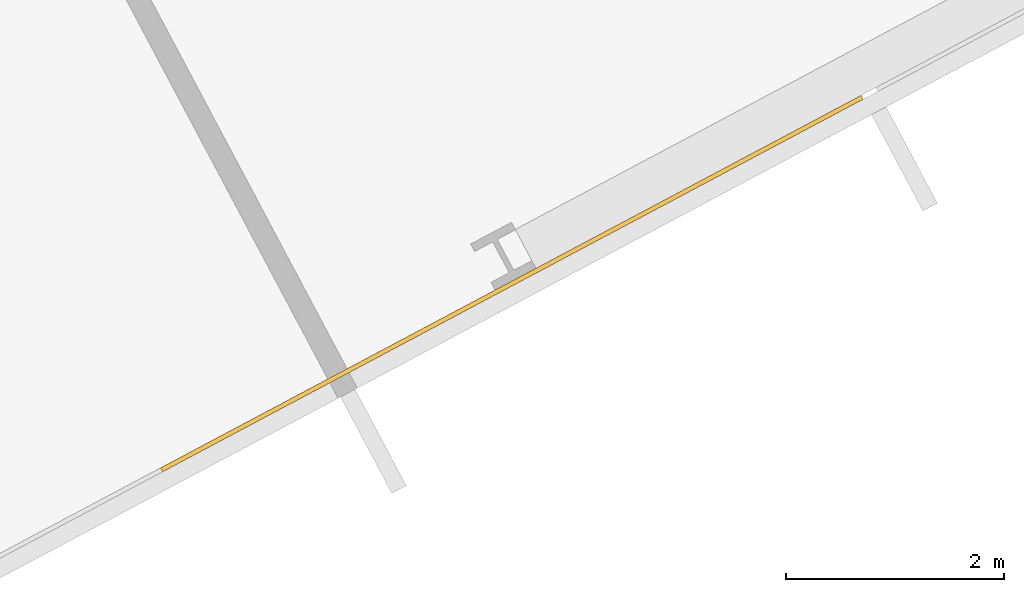
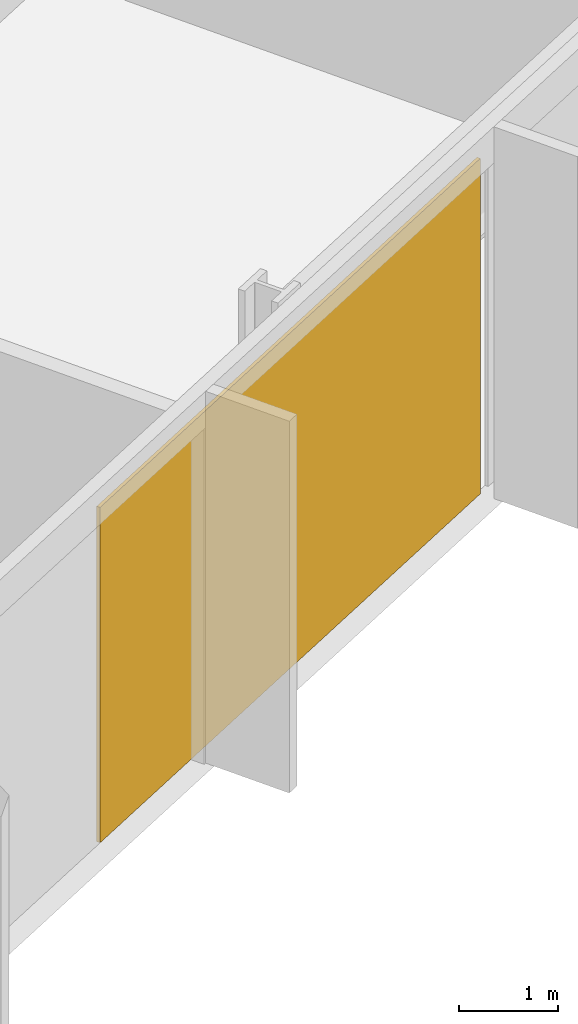
# One storey, part 29 of 32: 1 covering, 1 element without a shape of its own.
"""IFC4 building model written with IfcOpenShell, lengths in metres."""

from ifc_helpers import new_model, si_unit, direction, frame, origin, origin_2d, place, context, subcontext, project, spatial, rectangle, extrude, material, layer, layer_set, type_object, element, aggregate, save


model = new_model("IFC4")

# Units and contexts
model_context = context("Model", 3, precision=1e-05, world=origin(), true_north=direction((0.0, 1.0)))
body_context = subcontext(model_context, "Body", "Model", "MODEL_VIEW")
ifc_project = project(units=[si_unit("LENGTHUNIT", "METRE"), si_unit("AREAUNIT", "SQUARE_METRE"), si_unit("VOLUMEUNIT", "CUBIC_METRE"), si_unit("PLANEANGLEUNIT", "RADIAN"), si_unit("MASSUNIT", "GRAM", prefix="KILO")], contexts=[model_context])

# Site, building, storey
site_placement = place(None, origin())
site = spatial("IfcSite", under=ifc_project, at=site_placement, CompositionType="ELEMENT")
building_placement = place(site_placement, origin())
building = spatial("IfcBuilding", under=site, at=building_placement, Name="Cormorant Relay Tower", CompositionType="ELEMENT")
storey_placement = place(building_placement, frame((0.0, 0.0, 75.39990234375)))
storey = spatial("IfcBuildingStorey", under=building, at=storey_placement, Name="L14", CompositionType="ELEMENT", Elevation=75.39990234375)

# Curtain wall, covering
ifc_material_1 = material(Name="Aluminium 6063-T6 anodised bronze", Category="aluminium")
ifc_layer_1 = layer(ifc_material_1, 0.199951171875)
ifc_layer_set_1 = layer_set([ifc_layer_1], Name="CW1 unitised bronze curtain wall with vertical fins")
curtain_wall_type = type_object("IfcCurtainWallType", Name="CW1 unitised bronze curtain wall with vertical fins", PredefinedType="NOTDEFINED", material=ifc_layer_set_1)
curtain_wall_placement = place(storey_placement, origin())
curtain_wall = element("IfcCurtainWall", 1, at=curtain_wall_placement, inside=storey, type_object=curtain_wall_type, Name="CW1 curtain wall 2", PredefinedType="NOTDEFINED")
ifc_material_2 = material(Name="Pale bronze anodised aluminium insulated panel", Category="aluminium")
ifc_layer_2 = layer(ifc_material_2, 0.0400390625)
ifc_layer_set_2 = layer_set([ifc_layer_2], Name="CW1 pale bronze insulated panel 40")
covering_type = type_object("IfcCoveringType", Name="CW1 pale bronze insulated panel 40", PredefinedType="CLADDING", material=ifc_layer_set_2)
covering_placement = place(storey_placement, frame((52.914306640625, 4.328369140625, 0.000244140625), z_axis=(0.0, 0.0, 1.0), x_axis=(0.882947592859, 0.469471562786, 0.0)))
covering = element("IfcCovering", 2, at=covering_placement, type_object=covering_type, Name="CW1 panel S11", PredefinedType="CLADDING", context=body_context, shape_type="SweptSolid", body=[
    extrude(rectangle(XDim=7.273681640625, YDim=0.0400390625, at=origin_2d()), origin(), (0.0, 0.0, 1.0), 4.14990234375),
])
aggregate(curtain_wall, [covering])

save(model, "model.ifc")
